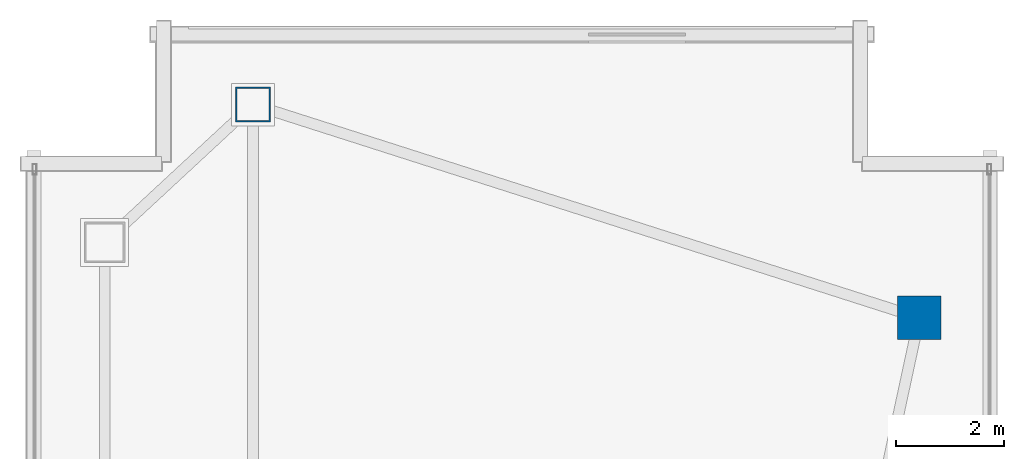
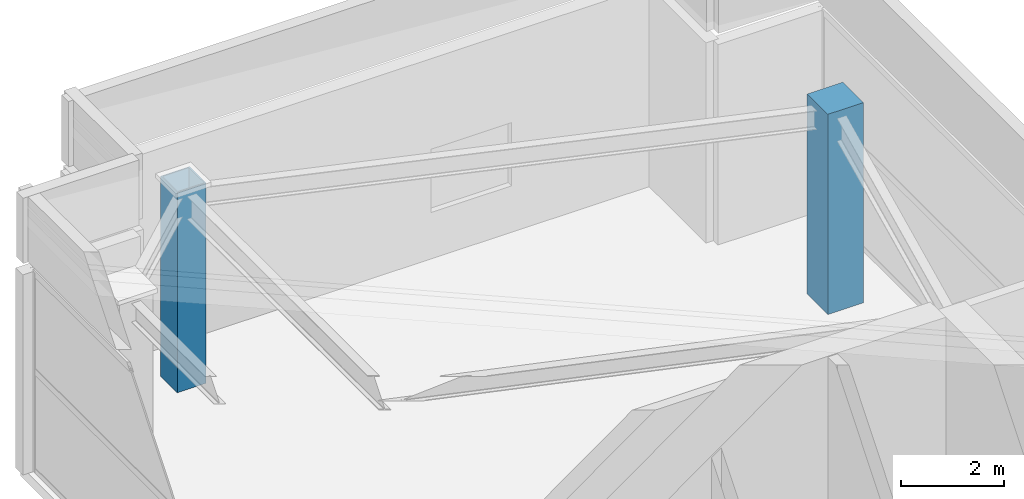
# One storey, part 2 of 20: 2 columns.
"""IFC4 building model written with IfcOpenShell, lengths in metres."""

import ifcopenshell
import ifcopenshell.guid

model = None  # the IFC model being written
_history = None  # IfcOwnerHistory: only IFC2X3 demands one
_inside = {}  # id of a spatial element -> (the spatial element, [elements in it])
_under = {}  # id of a project, library or spatial element -> (it, [spatial elements below it])
_declared = {}  # id of a project -> (the project, [libraries it declares])
_typed = {}  # id of a type object -> (the type object, [elements of that type])
_made_of = {}  # id of a material, layer set ... -> (it, [elements and type objects made of it])


def new_model(schema):
    """Start an empty IFC model of exactly this schema.

    Asked for "IFC4X3", IfcOpenShell would pick the latest addendum, in which some entities
    have other attributes; the version numbers below select the first issue.
    IFC2X3 requires an IfcOwnerHistory on every rooted entity: one is made here for all.
    """
    global model, _history
    if schema == "IFC4X3":
        model = ifcopenshell.file(schema_version=(4, 3, 0, 0))
    else:
        model = ifcopenshell.file(schema=schema)
    _inside.clear()
    _under.clear()
    _declared.clear()
    _typed.clear()
    _made_of.clear()
    _history = None
    if model.schema == "IFC2X3":
        org = make("IfcOrganization", Name="unknown")
        user = make(
            "IfcPersonAndOrganization",
            ThePerson=make("IfcPerson", FamilyName="unknown"),
            TheOrganization=org,
        )
        app = make(
            "IfcApplication",
            ApplicationDeveloper=org,
            Version="unknown",
            ApplicationFullName="unknown",
            ApplicationIdentifier="unknown",
        )
        _history = make(
            "IfcOwnerHistory",
            OwningUser=user,
            OwningApplication=app,
            ChangeAction="ADDED",
            CreationDate=0,
        )
    return model


def make(cls, **values):
    """One entity of the class cls with the attributes given. An attribute that is None is left unset."""
    return model.create_entity(
        cls, **{name: value for name, value in values.items() if value is not None}
    )


def rooted(cls, **values):
    """An entity with a GlobalId (a new one), such as an element, a storey or a relation."""
    return make(cls, GlobalId=ifcopenshell.guid.new(), OwnerHistory=_history, **values)


def si_unit(unit_type, name, prefix=None):
    """IfcSIUnit, for example si_unit("LENGTHUNIT", "METRE", prefix="MILLI")."""
    return make("IfcSIUnit", UnitType=unit_type, Prefix=prefix, Name=name)


def assignment(units):
    """IfcUnitAssignment: the units of a project."""
    return None if units is None else make("IfcUnitAssignment", Units=units)


def point(xyz):
    """IfcCartesianPoint."""
    return None if xyz is None else make("IfcCartesianPoint", Coordinates=xyz)


def direction(xyz):
    """IfcDirection."""
    return None if xyz is None else make("IfcDirection", DirectionRatios=xyz)


def frame(location, z_axis=None, x_axis=None):
    """IfcAxis2Placement3D, a coordinate frame: its origin and axes. An axis left out is left unset."""
    return make(
        "IfcAxis2Placement3D",
        Location=point(location),
        Axis=direction(z_axis),
        RefDirection=direction(x_axis),
    )


def frame_2d(location, x_axis=None):
    """IfcAxis2Placement2D, a coordinate frame in the plane: its origin and x axis."""
    return make(
        "IfcAxis2Placement2D", Location=point(location), RefDirection=direction(x_axis)
    )


def origin():
    """The frame at (0, 0, 0) with its axes left unset."""
    return frame((0.0, 0.0, 0.0))


def origin_2d():
    """The frame at (0, 0) in the plane with its x axis left unset."""
    return frame_2d((0.0, 0.0))


def place(relative_to, where):
    """IfcLocalPlacement: puts the frame where relative to a parent placement (None: the world)."""
    return make(
        "IfcLocalPlacement", PlacementRelTo=relative_to, RelativePlacement=where
    )


def context(
    kind, dimensions, precision=None, world=None, true_north=None, identifier=None
):
    """IfcGeometricRepresentationContext, for example the 3D "Model" context."""
    return make(
        "IfcGeometricRepresentationContext",
        ContextIdentifier=identifier,
        ContextType=kind,
        CoordinateSpaceDimension=dimensions,
        Precision=precision,
        WorldCoordinateSystem=world,
        TrueNorth=true_north,
    )


def subcontext(parent, identifier, kind, view, scale=None):
    """IfcGeometricRepresentationSubContext, for example "Body" below "Model"."""
    return make(
        "IfcGeometricRepresentationSubContext",
        ContextIdentifier=identifier,
        ContextType=kind,
        ParentContext=parent,
        TargetScale=scale,
        TargetView=view,
    )


def project(units=None, contexts=None):
    """IfcProject with its units and contexts."""
    return rooted(
        "IfcProject",
        Name="project",
        RepresentationContexts=contexts,
        UnitsInContext=assignment(units),
    )


def spatial(cls, under=None, at=None, **own):
    """A site, building, storey or space (cls), placed at a placement, below another one or the project."""
    s = rooted(cls, ObjectPlacement=at, **own)
    if under is not None:
        _under.setdefault(under.id(), (under, []))[1].append(s)
    return s


def profile(cls, at=None, kind="AREA", **sizes):
    """A parametric profile (cls). Its sizes go by their IFC names, for example OverallWidth=200.0."""
    return make(cls, ProfileType=kind, Position=at, **sizes)


def rectangle(**sizes):
    """IfcRectangleProfileDef."""
    return profile("IfcRectangleProfileDef", **sizes)


def hollow_rectangle(**sizes):
    """IfcRectangleHollowProfileDef."""
    return profile("IfcRectangleHollowProfileDef", **sizes)


def extrude(swept, where, along, depth):
    """IfcExtrudedAreaSolid: the profile swept, set in the frame where, extruded along a direction by depth."""
    return make(
        "IfcExtrudedAreaSolid",
        SweptArea=swept,
        Position=where,
        ExtrudedDirection=direction(along),
        Depth=depth,
    )


def shape(context_of_items, identifier, shape_type, items):
    """IfcShapeRepresentation: the items that make up one representation, for example the "Body"."""
    return make(
        "IfcShapeRepresentation",
        ContextOfItems=context_of_items,
        RepresentationIdentifier=identifier,
        RepresentationType=shape_type,
        Items=items,
    )


def material(Name=None, Category=None):
    """IfcMaterial."""
    return make("IfcMaterial", Name=Name, Category=Category)


def material_profile(
    of_material, cross_section, Name=None, Category=None, Priority=None
):
    """IfcMaterialProfile: a cross section and its material."""
    return make(
        "IfcMaterialProfile",
        Name=Name,
        Material=of_material,
        Profile=cross_section,
        Priority=Priority,
        Category=Category,
    )


def profile_set(profiles, Name=None, composite=None):
    """IfcMaterialProfileSet."""
    return make(
        "IfcMaterialProfileSet",
        Name=Name,
        MaterialProfiles=profiles,
        CompositeProfile=composite,
    )


def made_of(thing, what):
    """Note that an element or type object is made of a material, layer set ...; save() writes the relation."""
    if what is not None:
        _made_of.setdefault(what.id(), (what, []))[1].append(thing)
    return thing


def type_object(cls, material=None, **own):
    """A type object (cls), such as IfcWallType, which elements share."""
    return made_of(rooted(cls, **own), material)


def element(
    cls,
    number,
    at=None,
    inside=None,
    cuts=None,
    type_object=None,
    material=None,
    context=None,
    identifier="Body",
    shape_type=None,
    held_by="IfcProductDefinitionShape",
    body=None,
    shapes=None,
    **own,
):
    """One element of the class cls, such as IfcWall. Its Tag is "e" and its number.

    at: its placement. inside: the storey or other place that contains it. cuts: it is an
    opening in that element (IfcRelVoidsElement). A single representation is given by context,
    identifier, shape_type and body (its items); several are given by shapes. held_by: the class
    of the entity that holds the representations. save() writes the other relations.
    """
    e = rooted(cls, Tag="e%d" % number, ObjectPlacement=at, **own)
    if body is not None:
        shapes = [shape(context, identifier, shape_type, body)]
    if shapes is not None:
        e.Representation = make(held_by, Representations=shapes)
    if inside is not None:
        _inside.setdefault(inside.id(), (inside, []))[1].append(e)
    if cuts is not None:
        rooted(
            "IfcRelVoidsElement", RelatingBuildingElement=cuts, RelatedOpeningElement=e
        )
    if type_object is not None:
        _typed.setdefault(type_object.id(), (type_object, []))[1].append(e)
    return made_of(e, material)


def aggregate(whole, parts):
    """IfcRelAggregates: a whole, such as a stair, and the parts it consists of."""
    return rooted("IfcRelAggregates", RelatingObject=whole, RelatedObjects=parts)


def save(model, path):
    """Write the relations noted so far, then the file.

    IfcRelAggregates (storeys below a building ...), IfcRelContainedInSpatialStructure (elements
    in a storey), IfcRelDefinesByType, IfcRelAssociatesMaterial and IfcRelDeclares: one each for
    every whole, place, type object, material and project.
    """
    for whole, parts in _under.values():
        aggregate(whole, parts)
    for where, things in _inside.values():
        rooted(
            "IfcRelContainedInSpatialStructure",
            RelatedElements=things,
            RelatingStructure=where,
        )
    for kind, things in _typed.values():
        rooted("IfcRelDefinesByType", RelatedObjects=things, RelatingType=kind)
    for what, things in _made_of.values():
        rooted("IfcRelAssociatesMaterial", RelatedObjects=things, RelatingMaterial=what)
    for by, libraries in _declared.values():
        rooted("IfcRelDeclares", RelatingContext=by, RelatedDefinitions=libraries)
    model.write(path)


model = new_model("IFC4")

# Units and contexts
model_context = context("Model", 3, precision=1e-05, world=origin(), true_north=direction((0.0, 1.0)))
body_context = subcontext(model_context, "Body", "Model", "MODEL_VIEW")
ifc_project = project(units=[si_unit("LENGTHUNIT", "METRE"), si_unit("AREAUNIT", "SQUARE_METRE"), si_unit("VOLUMEUNIT", "CUBIC_METRE"), si_unit("PLANEANGLEUNIT", "RADIAN"), si_unit("MASSUNIT", "GRAM", prefix="KILO")], contexts=[model_context])

# Site, building, storey
site_placement = place(None, origin())
site = spatial("IfcSite", under=ifc_project, at=site_placement, CompositionType="ELEMENT")
building_placement = place(site_placement, origin())
building = spatial("IfcBuilding", under=site, at=building_placement, Name="Calvorn Quay Hotel", CompositionType="ELEMENT")
storey_placement = place(building_placement, frame((0.0, 0.0, 345.5)))
storey = spatial("IfcBuildingStorey", under=building, at=storey_placement, Name="L84", CompositionType="ELEMENT", Elevation=345.5)

# Columns
ifc_material_1 = material(Name="Concrete C45", Category="concrete")
ifc_material_profile_1 = material_profile(ifc_material_1, rectangle(XDim=0.800048828125, YDim=0.800048828125, at=origin_2d()), Name="RC800x800")
ifc_profile_set_1 = profile_set([ifc_material_profile_1], Name="Concrete C45")
column_type_1 = type_object("IfcColumnType", Name="COL-RC-800", PredefinedType="COLUMN", material=ifc_profile_set_1)
column_1_placement = place(storey_placement, frame((16.550048828125, 45.60009765625, 0.0), z_axis=(0.0, 0.0, 1.0), x_axis=(1.0, 0.0, 0.0)))
element("IfcColumn", 1, at=column_1_placement, inside=storey, type_object=column_type_1, Name="Column C-IC1 (L84)", PredefinedType="COLUMN", context=body_context, shape_type="SweptSolid", body=[
    extrude(rectangle(XDim=0.800048828125, YDim=0.800048828125, at=origin_2d()), origin(), (0.0, 0.0, 1.0), 4.75),
])
ifc_material_2 = material(Name="Steel Q355B", Category="steel")
ifc_material_profile_2 = material_profile(ifc_material_2, hollow_rectangle(XDim=0.64990234375, YDim=0.64990234375, WallThickness=0.028076171875, at=origin_2d()), Name="BOX650x650x28")
ifc_profile_set_2 = profile_set([ifc_material_profile_2], Name="Steel Q355B")
column_type_2 = type_object("IfcColumnType", Name="COL-STL-Z4", PredefinedType="COLUMN", material=ifc_profile_set_2)
column_2_placement = place(storey_placement, frame((4.199951171875, 49.550048828125, 0.0), z_axis=(0.0, 0.0, 1.0), x_axis=(1.0, 0.0, 0.0)))
element("IfcColumn", 2, at=column_2_placement, inside=storey, type_object=column_type_2, Name="Column C-NW1 (L84)", PredefinedType="COLUMN", context=body_context, shape_type="SweptSolid", body=[
    extrude(hollow_rectangle(XDim=0.64990234375, YDim=0.64990234375, WallThickness=0.028076171875, at=origin_2d()), origin(), (0.0, 0.0, 1.0), 4.75),
])

save(model, "model.ifc")
